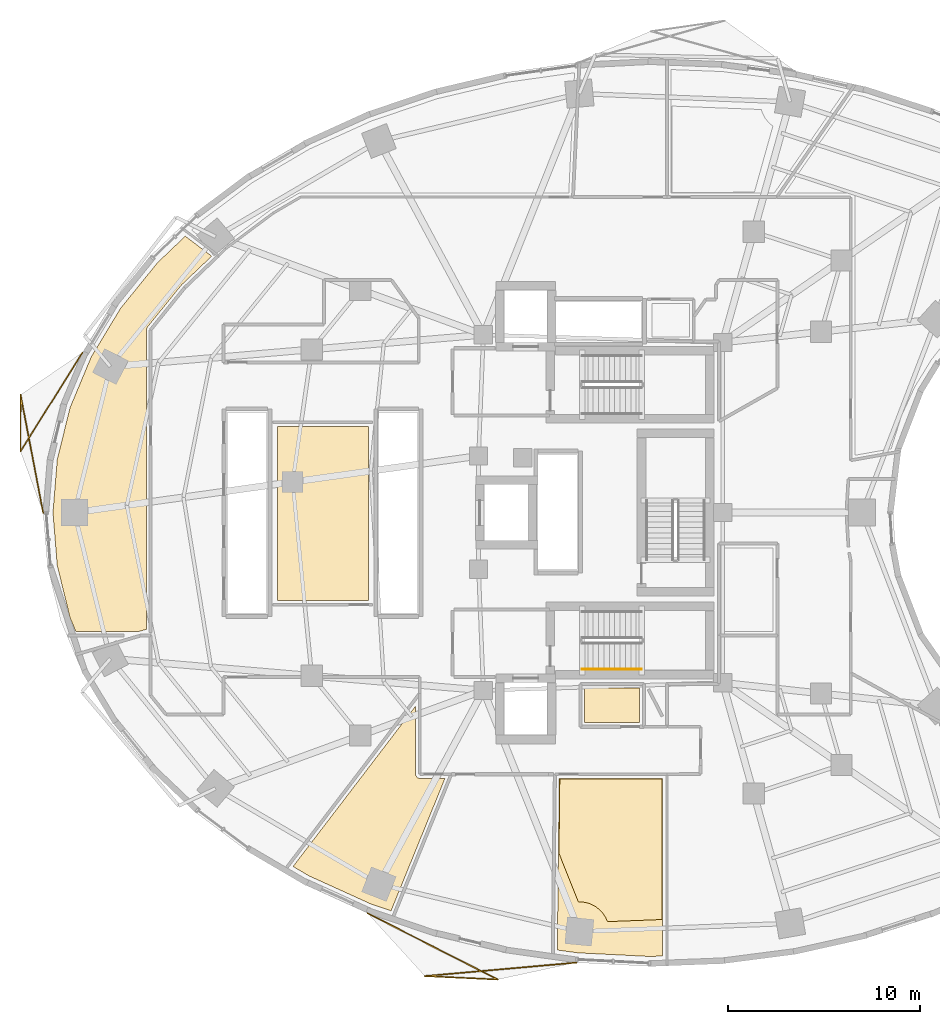
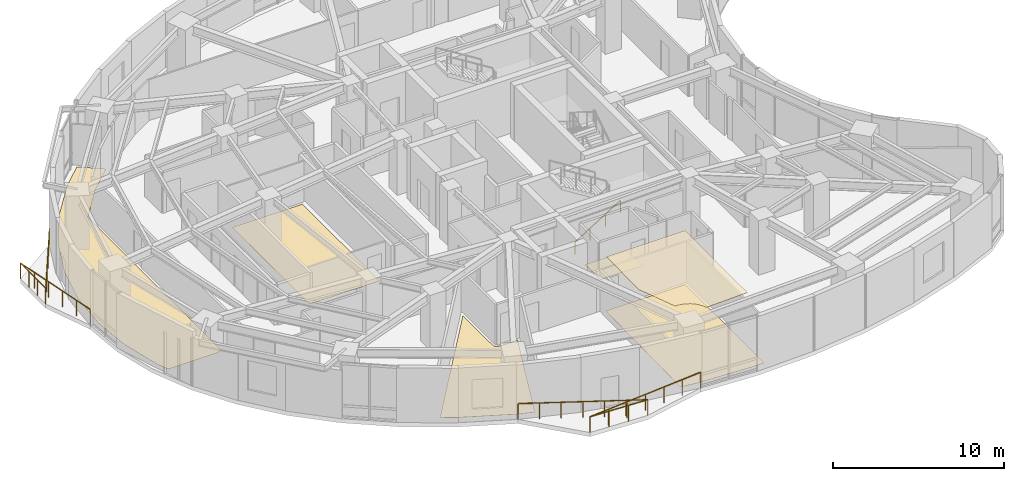
# One storey, part 13 of 15: 6 coverings, 3 railings.
"""IFC4 building model written with IfcOpenShell, lengths in metres."""

from ifc_helpers import new_model, si_unit, direction, frame, origin, origin_2d, place, context, subcontext, project, spatial, polyline, rectangle, outline, extrude, material, layer, layer_set, type_object, element, save


model = new_model("IFC4")

# Units and contexts
model_context = context("Model", 3, precision=1e-05, world=origin(), true_north=direction((0.0, 1.0)))
body_context = subcontext(model_context, "Body", "Model", "MODEL_VIEW")
ifc_project = project(units=[si_unit("LENGTHUNIT", "METRE"), si_unit("AREAUNIT", "SQUARE_METRE"), si_unit("VOLUMEUNIT", "CUBIC_METRE"), si_unit("PLANEANGLEUNIT", "RADIAN"), si_unit("MASSUNIT", "GRAM", prefix="KILO")], contexts=[model_context])

# Site, building, storey
site_placement = place(None, origin())
site = spatial("IfcSite", under=ifc_project, at=site_placement, CompositionType="ELEMENT")
building_placement = place(site_placement, origin())
building = spatial("IfcBuilding", under=site, at=building_placement, Name="Korentha Bioscience Tower", CompositionType="ELEMENT")
storey_placement = place(building_placement, frame((0.0, 0.0, 42.60009765625)))
storey = spatial("IfcBuildingStorey", under=building, at=storey_placement, Name="L09", CompositionType="ELEMENT", Elevation=42.60009765625)

# Railings
ifc_material_1 = material(Name="Stainless Steel 304", Category="steel")
railing_type_1 = type_object("IfcRailingType", Name="Brushed Stainless Stair Handrail 900", PredefinedType="HANDRAIL", material=ifc_material_1)
railing_1_placement = place(storey_placement, frame((30.25, 18.85009765625, 0.1748046875)))
element("IfcRailing", 1, at=railing_1_placement, inside=storey, type_object=railing_type_1, Name="L09 ST-2 stair handrail 1", PredefinedType="HANDRAIL", context=body_context, shape_type="SweptSolid", body=[
    extrude(rectangle(XDim=0.048095703125, YDim=0.048095703125, at=origin_2d()), frame((0.0, 0.0, 0.8759765625), z_axis=(0.847998304005, 0.0, 0.529998940003), x_axis=(0.0, 1.0, 0.0)), (0.0, 0.0, 1.0), 3.632080078125),
    extrude(rectangle(XDim=0.0419921875, YDim=0.0419921875, at=origin_2d()), origin(), (0.0, 0.0, 1.0), 0.851806640625),
    extrude(rectangle(XDim=0.0419921875, YDim=0.0419921875, at=origin_2d()), frame((1.026611328125, 0.0, 0.6416015625)), (0.0, 0.0, 1.0), 0.851806640625),
    extrude(rectangle(XDim=0.0419921875, YDim=0.0419921875, at=origin_2d()), frame((2.053466796875, 0.0, 1.283447265625)), (0.0, 0.0, 1.0), 0.851806640625),
    extrude(rectangle(XDim=0.0419921875, YDim=0.0419921875, at=origin_2d()), frame((3.080078125, 0.0, 1.925048828125)), (0.0, 0.0, 1.0), 0.851806640625),
])
ifc_material_2 = material(Name="Laminated Tempered Safety Glass", Category="glass")
railing_type_2 = type_object("IfcRailingType", Name="Laminated Glass Balcony Guardrail 1150", PredefinedType="BALUSTRADE", material=ifc_material_2)
railing_2_placement = place(storey_placement, frame((4.246337890625, 35.3291015625, 0.0)))
element("IfcRailing", 2, at=railing_2_placement, inside=storey, type_object=railing_type_2, Name="L09 Balcony Guardrail 02", PredefinedType="BALUSTRADE", context=body_context, shape_type="SweptSolid", body=[
    extrude(rectangle(XDim=0.048095703125, YDim=0.048095703125, at=origin_2d()), frame((0.0, 0.0, 1.1259765625), z_axis=(-0.530529545818, -0.847666444431, 0.0), x_axis=(0.847666444431, -0.530529545818, 0.0)), (0.0, 0.0, 1.0), 6.07861328125),
    extrude(rectangle(XDim=0.048095703125, YDim=0.048095703125, at=origin_2d()), frame((-3.224853515625, -5.152587890625, 1.1259765625), z_axis=(0.001898939773, 0.999998197012, 0.0), x_axis=(-0.999998197012, 0.001898939773, 0.0)), (0.0, 0.0, 1.0), 2.95703125),
    extrude(rectangle(XDim=0.048095703125, YDim=0.048095703125, at=origin_2d()), frame((-3.21923828125, -2.195556640625, 1.1259765625), z_axis=(0.18781629778, -0.982204173422, 0.0), x_axis=(0.982204173422, 0.18781629778, 0.0)), (0.0, 0.0, 1.0), 6.24462890625),
    extrude(rectangle(XDim=0.0419921875, YDim=0.0419921875, at=origin_2d()), origin(), (0.0, 0.0, 1.0), 1.101806640625),
    extrude(rectangle(XDim=0.0419921875, YDim=0.0419921875, at=origin_2d()), frame((-0.64501953125, -1.030517578125, 0.0)), (0.0, 0.0, 1.0), 1.101806640625),
    extrude(rectangle(XDim=0.0419921875, YDim=0.0419921875, at=origin_2d()), frame((-1.2900390625, -2.06103515625, 0.0)), (0.0, 0.0, 1.0), 1.101806640625),
    extrude(rectangle(XDim=0.0419921875, YDim=0.0419921875, at=origin_2d()), frame((-1.934814453125, -3.091552734375, 0.0)), (0.0, 0.0, 1.0), 1.101806640625),
    extrude(rectangle(XDim=0.0419921875, YDim=0.0419921875, at=origin_2d()), frame((-2.579833984375, -4.1220703125, 0.0)), (0.0, 0.0, 1.0), 1.101806640625),
    extrude(rectangle(XDim=0.0419921875, YDim=0.0419921875, at=origin_2d()), frame((-3.224853515625, -5.152587890625, 0.0)), (0.0, 0.0, 1.0), 1.101806640625),
    extrude(rectangle(XDim=0.0419921875, YDim=0.0419921875, at=origin_2d()), frame((-3.222900390625, -4.1669921875, 0.0)), (0.0, 0.0, 1.0), 1.101806640625),
    extrude(rectangle(XDim=0.0419921875, YDim=0.0419921875, at=origin_2d()), frame((-3.22119140625, -3.18115234375, 0.0)), (0.0, 0.0, 1.0), 1.101806640625),
    extrude(rectangle(XDim=0.0419921875, YDim=0.0419921875, at=origin_2d()), frame((-3.21923828125, -2.195556640625, 0.0)), (0.0, 0.0, 1.0), 1.101806640625),
    extrude(rectangle(XDim=0.0419921875, YDim=0.0419921875, at=origin_2d()), frame((-2.984619140625, -3.42236328125, 0.0)), (0.0, 0.0, 1.0), 1.101806640625),
    extrude(rectangle(XDim=0.0419921875, YDim=0.0419921875, at=origin_2d()), frame((-2.75, -4.64892578125, 0.0)), (0.0, 0.0, 1.0), 1.101806640625),
    extrude(rectangle(XDim=0.0419921875, YDim=0.0419921875, at=origin_2d()), frame((-2.515625, -5.875732421875, 0.0)), (0.0, 0.0, 1.0), 1.101806640625),
    extrude(rectangle(XDim=0.0419921875, YDim=0.0419921875, at=origin_2d()), frame((-2.281005859375, -7.102294921875, 0.0)), (0.0, 0.0, 1.0), 1.101806640625),
    extrude(rectangle(XDim=0.0419921875, YDim=0.0419921875, at=origin_2d()), frame((-2.04638671875, -8.3291015625, 0.0)), (0.0, 0.0, 1.0), 1.101806640625),
])
railing_3_placement = place(storey_placement, frame((19.07080078125, 6.162353515625, 0.0)))
element("IfcRailing", 3, at=railing_3_placement, inside=storey, type_object=railing_type_2, Name="L09 Balcony Guardrail 03", PredefinedType="BALUSTRADE", context=body_context, shape_type="SweptSolid", body=[
    extrude(rectangle(XDim=0.048095703125, YDim=0.048095703125, at=origin_2d()), frame((0.0, 0.0, 1.1259765625), z_axis=(0.891319654486, -0.45337542228, 0.0), x_axis=(0.45337542228, 0.891319654486, 0.0)), (0.0, 0.0, 1.0), 7.610107421875),
    extrude(rectangle(XDim=0.048095703125, YDim=0.048095703125, at=origin_2d()), frame((6.782958984375, -3.4501953125, 1.1259765625), z_axis=(-0.998888075522, 0.047144592276, 0.0), x_axis=(-0.047144592276, -0.998888075522, 0.0)), (0.0, 0.0, 1.0), 3.80615234375),
    extrude(rectangle(XDim=0.048095703125, YDim=0.048095703125, at=origin_2d()), frame((2.98095703125, -3.270751953125, 1.1259765625), z_axis=(0.996070888577, 0.088559499377, 0.0), x_axis=(-0.088559499377, 0.996070888577, 0.0)), (0.0, 0.0, 1.0), 7.920166015625),
    extrude(rectangle(XDim=0.0419921875, YDim=0.0419921875, at=origin_2d()), origin(), (0.0, 0.0, 1.0), 1.101806640625),
    extrude(rectangle(XDim=0.0419921875, YDim=0.0419921875, at=origin_2d()), frame((1.13037109375, -0.574951171875, 0.0)), (0.0, 0.0, 1.0), 1.101806640625),
    extrude(rectangle(XDim=0.0419921875, YDim=0.0419921875, at=origin_2d()), frame((2.260986328125, -1.150146484375, 0.0)), (0.0, 0.0, 1.0), 1.101806640625),
    extrude(rectangle(XDim=0.0419921875, YDim=0.0419921875, at=origin_2d()), frame((3.3916015625, -1.72509765625, 0.0)), (0.0, 0.0, 1.0), 1.101806640625),
    extrude(rectangle(XDim=0.0419921875, YDim=0.0419921875, at=origin_2d()), frame((4.52197265625, -2.300048828125, 0.0)), (0.0, 0.0, 1.0), 1.101806640625),
    extrude(rectangle(XDim=0.0419921875, YDim=0.0419921875, at=origin_2d()), frame((5.65234375, -2.875244140625, 0.0)), (0.0, 0.0, 1.0), 1.101806640625),
    extrude(rectangle(XDim=0.0419921875, YDim=0.0419921875, at=origin_2d()), frame((6.782958984375, -3.4501953125, 0.0)), (0.0, 0.0, 1.0), 1.101806640625),
    extrude(rectangle(XDim=0.0419921875, YDim=0.0419921875, at=origin_2d()), frame((5.515625, -3.390380859375, 0.0)), (0.0, 0.0, 1.0), 1.101806640625),
    extrude(rectangle(XDim=0.0419921875, YDim=0.0419921875, at=origin_2d()), frame((4.248291015625, -3.33056640625, 0.0)), (0.0, 0.0, 1.0), 1.101806640625),
    extrude(rectangle(XDim=0.0419921875, YDim=0.0419921875, at=origin_2d()), frame((2.98095703125, -3.270751953125, 0.0)), (0.0, 0.0, 1.0), 1.101806640625),
    extrude(rectangle(XDim=0.0419921875, YDim=0.0419921875, at=origin_2d()), frame((4.2958984375, -3.15380859375, 0.0)), (0.0, 0.0, 1.0), 1.101806640625),
    extrude(rectangle(XDim=0.0419921875, YDim=0.0419921875, at=origin_2d()), frame((5.610595703125, -3.036865234375, 0.0)), (0.0, 0.0, 1.0), 1.101806640625),
    extrude(rectangle(XDim=0.0419921875, YDim=0.0419921875, at=origin_2d()), frame((6.925537109375, -2.919921875, 0.0)), (0.0, 0.0, 1.0), 1.101806640625),
    extrude(rectangle(XDim=0.0419921875, YDim=0.0419921875, at=origin_2d()), frame((8.240478515625, -2.80322265625, 0.0)), (0.0, 0.0, 1.0), 1.101806640625),
    extrude(rectangle(XDim=0.0419921875, YDim=0.0419921875, at=origin_2d()), frame((9.55517578125, -2.686279296875, 0.0)), (0.0, 0.0, 1.0), 1.101806640625),
    extrude(rectangle(XDim=0.0419921875, YDim=0.0419921875, at=origin_2d()), frame((10.8701171875, -2.5693359375, 0.0)), (0.0, 0.0, 1.0), 1.101806640625),
])

# Coverings
ifc_material_3 = material(Name="Antimicrobial Mineral Fibre Board", Category="gypsum")
ifc_layer_1 = layer(ifc_material_3, 0.034912109375, Name="Antimicrobial Mineral Fibre Board")
ifc_layer_set_1 = layer_set([ifc_layer_1], Name="Antimicrobial Mineral Fibre Board (CL-MF35)")
covering_type_1 = type_object("IfcCoveringType", Name="Mineral-Fibre Cleanroom Suspended Ceiling 35", PredefinedType="CEILING", material=ifc_layer_set_1)
covering_1_placement = place(storey_placement, frame((0.0, 0.0, 3.864990234375)))
element("IfcCovering", 4, at=covering_1_placement, inside=storey, type_object=covering_type_1, Name="L09 Clinical Advisory Boardroom 05 Acoustic Ceiling", PredefinedType="CEILING", context=body_context, shape_type="SweptSolid", body=[
    extrude(outline(polyline([(34.39794921875, 5.833984375), (31.553955078125, 5.723388671875), (31.461181640625, 5.93798828125), (31.29248046875, 6.190673828125), (31.190185546875, 6.303466796875), (30.955322265625, 6.49609375), (30.6875, 6.639404296875), (30.544189453125, 6.690673828125), (30.24609375, 6.75), (30.037841796875, 6.754638671875), (29.03271484375, 9.27880859375), (29.076171875, 13.139892578125), (34.39794921875, 13.139892578125), (34.39794921875, 5.833984375)])), origin(), (0.0, 0.0, 1.0), 0.034912109375),
])
ifc_material_4 = material(Name="Chemical-Resistant Epoxy Resin", Category="polymer")
ifc_layer_2 = layer(ifc_material_4, 0.011962890625, Name="Chemical-Resistant Epoxy Resin")
ifc_layer_set_2 = layer_set([ifc_layer_2], Name="Chemical-Resistant Epoxy Resin (FL-EPX)")
covering_type_2 = type_object("IfcCoveringType", Name="Seamless Epoxy Laboratory Flooring 12", PredefinedType="FLOORING", material=ifc_layer_set_2)
covering_2_placement = place(storey_placement, origin())
element("IfcCovering", 5, at=covering_2_placement, inside=storey, type_object=covering_type_2, Name="L09 Core Instrumentation and Gas Store Floor Finish", PredefinedType="FLOORING", context=body_context, shape_type="SweptSolid", body=[
    extrude(outline(polyline([(30.3701171875, 16.080078125), (30.3701171875, 17.8701171875), (33.22998046875, 17.8701171875), (33.22998046875, 16.080078125), (30.3701171875, 16.080078125)])), origin(), (0.0, 0.0, 1.0), 0.011962890625),
])
covering_3_placement = place(storey_placement, origin())
element("IfcCovering", 6, at=covering_3_placement, inside=storey, type_object=covering_type_2, Name="L09 Principal Investigator Office 01 Floor Finish", PredefinedType="FLOORING", context=body_context, shape_type="SweptSolid", body=[
    extrude(outline(polyline([(14.3798828125, 22.429931640625), (14.380126953125, 31.477783203125), (19.119873046875, 31.47802734375), (19.119873046875, 22.429931640625), (14.3798828125, 22.429931640625)])), origin(), (0.0, 0.0, 1.0), 0.011962890625),
])
covering_4_placement = place(storey_placement, origin())
element("IfcCovering", 7, at=covering_4_placement, inside=storey, type_object=covering_type_2, Name="L09 Staff Pantry Kitchenette 03 Floor Finish", PredefinedType="FLOORING", context=body_context, shape_type="SweptSolid", body=[
    extrude(outline(polyline([(15.200439453125, 8.59130859375), (21.570068359375, 16.930908203125), (21.570068359375, 13.39990234375), (21.58349609375, 13.322021484375), (21.66259765625, 13.215576171875), (21.7666015625, 13.17236328125), (23.10205078125, 13.169921875), (20.298095703125, 6.28466796875), (19.258544921875, 6.63720703125), (16.0458984375, 8.09521484375), (15.200439453125, 8.59130859375)])), origin(), (0.0, 0.0, 1.0), 0.011962890625),
])
covering_5_placement = place(storey_placement, origin())
element("IfcCovering", 8, at=covering_5_placement, inside=storey, type_object=covering_type_2, Name="L09 Clinical Advisory Boardroom 05 Floor Finish", PredefinedType="FLOORING", context=body_context, shape_type="SweptSolid", body=[
    extrude(outline(polyline([(29.04638671875, 13.169921875), (34.427978515625, 13.169921875), (34.427978515625, 3.937255859375), (33.756103515625, 3.9111328125), (29.989501953125, 4.101318359375), (28.9462890625, 4.24853515625), (29.04638671875, 13.169921875)])), origin(), (0.0, 0.0, 1.0), 0.011962890625),
])
covering_6_placement = place(storey_placement, origin())
element("IfcCovering", 9, at=covering_6_placement, inside=storey, type_object=covering_type_2, Name="L09 Researchers' Wellness Quiet Room 15 Floor Finish", PredefinedType="FLOORING", context=body_context, shape_type="SweptSolid", body=[
    extrude(outline(polyline([(2.9345703125, 29.74853515625), (3.600830078125, 32.46044921875), (4.702392578125, 35.097900390625), (6.225830078125, 37.623779296875), (8.15087890625, 40.001708984375), (9.59423828125, 41.378173828125), (10.967529296875, 40.3388671875), (9.4033203125, 38.84619140625), (7.62109375, 36.64599609375), (7.572509765625, 36.5341796875), (7.570068359375, 20.92626953125), (7.19677734375, 20.822021484375), (3.900634765625, 20.822021484375), (3.600830078125, 21.53955078125), (2.934814453125, 24.251220703125), (2.711669921875, 27.0), (2.9345703125, 29.74853515625)])), origin(), (0.0, 0.0, 1.0), 0.011962890625),
])

save(model, "model.ifc")
